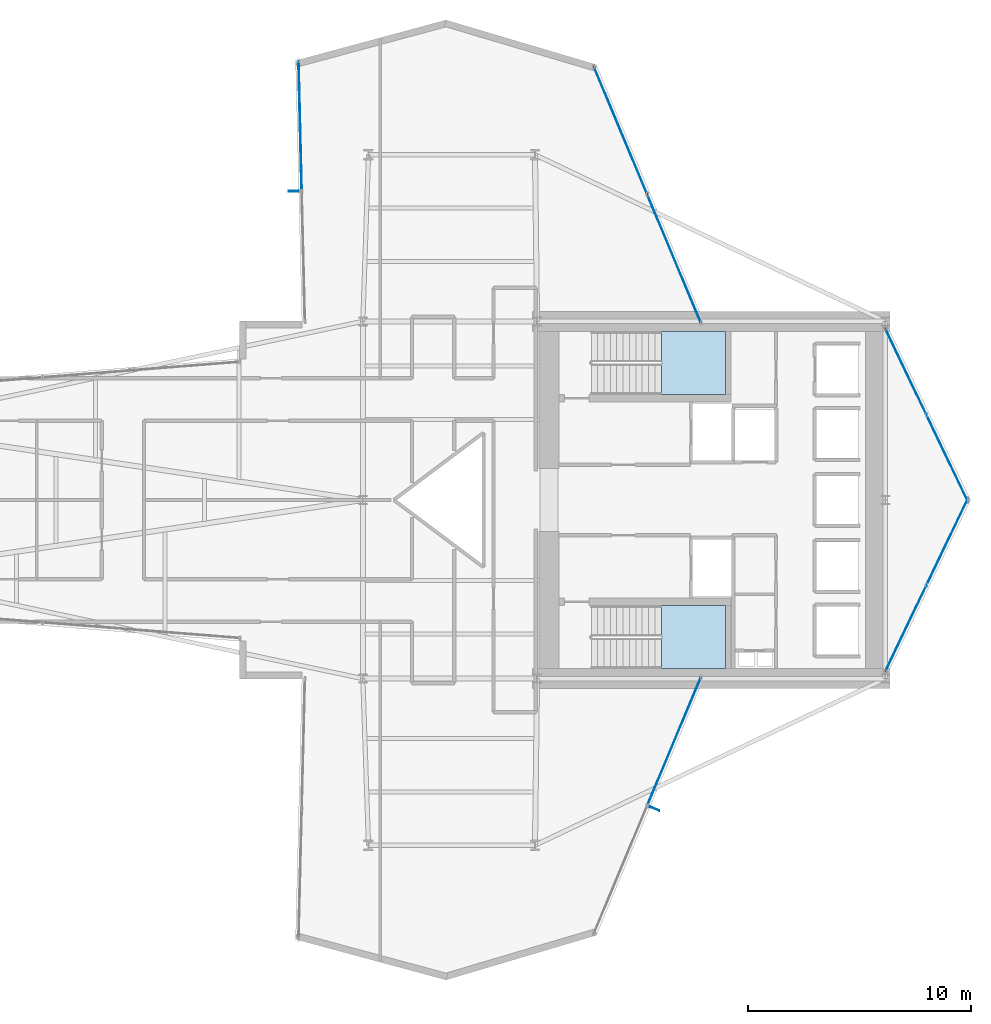
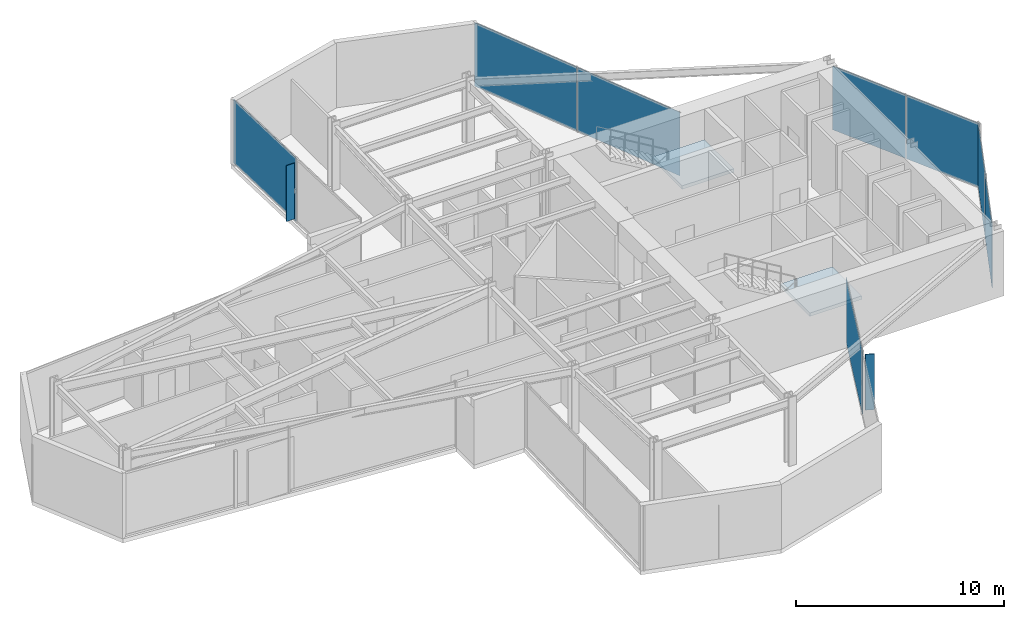
# One storey, part 20 of 24: 10 plates, 2 slabs, 7 elements without a shape of their own.
"""IFC4 building model written with IfcOpenShell, lengths in metres."""

from ifc_helpers import new_model, si_unit, direction, frame, origin, origin_2d, place, context, subcontext, project, spatial, polyline, rectangle, outline, extrude, material, layer, layer_set, type_object, element, aggregate, save


model = new_model("IFC4")

# Units and contexts
model_context = context("Model", 3, precision=1e-05, world=origin(), true_north=direction((0.0, 1.0)))
body_context = subcontext(model_context, "Body", "Model", "MODEL_VIEW")
ifc_project = project(units=[si_unit("LENGTHUNIT", "METRE"), si_unit("AREAUNIT", "SQUARE_METRE"), si_unit("VOLUMEUNIT", "CUBIC_METRE"), si_unit("PLANEANGLEUNIT", "RADIAN"), si_unit("MASSUNIT", "GRAM", prefix="KILO")], contexts=[model_context])

# Site, building, storey
site_placement = place(None, origin())
site = spatial("IfcSite", under=ifc_project, at=site_placement, CompositionType="ELEMENT")
building_placement = place(site_placement, origin())
building = spatial("IfcBuilding", under=site, at=building_placement, Name="Veymaron Broadcast Tower", CompositionType="ELEMENT")
storey_placement = place(building_placement, frame((0.0, 0.0, 78.300048828125)))
storey = spatial("IfcBuildingStorey", under=building, at=storey_placement, Name="L17", CompositionType="ELEMENT", Elevation=78.300048828125)

# Curtain wall, plates
ifc_material_1 = material(Name="Anodised aluminium AA 6063-T6 and laminated low-E dark glass", Category="aluminium")
ifc_layer_1 = layer(ifc_material_1, 0.179931640625)
ifc_layer_set_1 = layer_set([ifc_layer_1], Name="Anodised aluminium AA 6063-T6 and laminated low-E dark glass")
curtain_wall_type = type_object("IfcCurtainWallType", Name="CW-SYS-02", PredefinedType="NOTDEFINED", material=ifc_layer_set_1)
curtain_wall_1_placement = place(storey_placement, origin())
curtain_wall_1 = element("IfcCurtainWall", 1, at=curtain_wall_1_placement, inside=storey, type_object=curtain_wall_type, Name="L17 dark-glass curtain wall CW-L17-E2-1", PredefinedType="NOTDEFINED")
ifc_material_2 = material(Name="Double-silver solar-control dark glass IGU 32 mm", Category="glass")
ifc_layer_2 = layer(ifc_material_2, 0.031982421875)
ifc_layer_set_2 = layer_set([ifc_layer_2], Name="Double-silver solar-control dark glass IGU 32 mm")
plate_type_1 = type_object("IfcPlateType", Name="CW-PNL-02", PredefinedType="CURTAIN_PANEL", material=ifc_layer_set_2)
plate_1_placement = place(storey_placement, frame((55.52099609375, 18.2529296875, 0.0400390625), z_axis=(0.0, 0.0, 1.0), x_axis=(0.431078122851, 0.902314608105, 0.0)))
plate_1 = element("IfcPlate", 2, at=plate_1_placement, type_object=plate_type_1, Name="CW-L17-E2-1 unitised curtain panel 0", PredefinedType="CURTAIN_PANEL", context=body_context, shape_type="SweptSolid", body=[
    extrude(rectangle(XDim=4.23095703125, YDim=0.031982421875, at=origin_2d()), origin(), (0.0, 0.0, 1.0), 3.72998046875),
])
plate_2_placement = place(storey_placement, frame((57.370849609375, 22.12451171875, 0.0400390625), z_axis=(0.0, 0.0, 1.0), x_axis=(0.431078122851, 0.902314608105, 0.0)))
plate_2 = element("IfcPlate", 3, at=plate_2_placement, type_object=plate_type_1, Name="CW-L17-E2-1 unitised curtain panel 1", PredefinedType="CURTAIN_PANEL", context=body_context, shape_type="SweptSolid", body=[
    extrude(rectangle(XDim=4.23095703125, YDim=0.031982421875, at=origin_2d()), origin(), (0.0, 0.0, 1.0), 3.72998046875),
])
aggregate(curtain_wall_1, [plate_1, plate_2])

curtain_wall_2_placement = place(storey_placement, origin())
curtain_wall_2 = element("IfcCurtainWall", 4, at=curtain_wall_2_placement, inside=storey, type_object=curtain_wall_type, Name="L17 dark-glass curtain wall CW-L17-E3-1", PredefinedType="NOTDEFINED")
plate_3_placement = place(storey_placement, frame((57.370849609375, 25.87548828125, 0.0400390625), z_axis=(0.0, 0.0, 1.0), x_axis=(-0.431078122851, 0.902314608105, 0.0)))
plate_3 = element("IfcPlate", 5, at=plate_3_placement, type_object=plate_type_1, Name="CW-L17-E3-1 unitised curtain panel 0", PredefinedType="CURTAIN_PANEL", context=body_context, shape_type="SweptSolid", body=[
    extrude(rectangle(XDim=4.23095703125, YDim=0.031982421875, at=origin_2d()), origin(), (0.0, 0.0, 1.0), 3.72998046875),
])
plate_4_placement = place(storey_placement, frame((55.52099609375, 29.7470703125, 0.0400390625), z_axis=(0.0, 0.0, 1.0), x_axis=(-0.431078122851, 0.902314608105, 0.0)))
plate_4 = element("IfcPlate", 6, at=plate_4_placement, type_object=plate_type_1, Name="CW-L17-E3-1 unitised curtain panel 1", PredefinedType="CURTAIN_PANEL", context=body_context, shape_type="SweptSolid", body=[
    extrude(rectangle(XDim=4.23095703125, YDim=0.031982421875, at=origin_2d()), origin(), (0.0, 0.0, 1.0), 3.72998046875),
])
aggregate(curtain_wall_2, [plate_3, plate_4])

curtain_wall_3_placement = place(storey_placement, origin())
curtain_wall_3 = element("IfcCurtainWall", 7, at=curtain_wall_3_placement, inside=storey, type_object=curtain_wall_type, Name="L17 dark-glass curtain wall CW-L17-E5-1", PredefinedType="NOTDEFINED")
plate_5_placement = place(storey_placement, frame((45.13720703125, 34.81689453125, 0.0400390625), z_axis=(0.0, 0.0, 1.0), x_axis=(-0.3854873681, 0.922713113072, 0.0)))
plate_5 = element("IfcPlate", 8, at=plate_5_placement, type_object=plate_type_1, Name="CW-L17-E5-1 unitised curtain panel 0", PredefinedType="CURTAIN_PANEL", context=body_context, shape_type="SweptSolid", body=[
    extrude(rectangle(XDim=6.1630859375, YDim=0.031982421875, at=origin_2d()), origin(), (0.0, 0.0, 1.0), 3.72998046875),
])
plate_6_placement = place(storey_placement, frame((42.73828125, 40.55908203125, 0.0400390625), z_axis=(0.0, 0.0, 1.0), x_axis=(-0.3854873681, 0.922713113072, 0.0)))
plate_6 = element("IfcPlate", 9, at=plate_6_placement, type_object=plate_type_1, Name="CW-L17-E5-1 unitised curtain panel 1", PredefinedType="CURTAIN_PANEL", context=body_context, shape_type="SweptSolid", body=[
    extrude(rectangle(XDim=6.1630859375, YDim=0.031982421875, at=origin_2d()), origin(), (0.0, 0.0, 1.0), 3.72998046875),
])
aggregate(curtain_wall_3, [plate_5, plate_6])

# Curtain wall, plate
curtain_wall_4_placement = place(storey_placement, origin())
curtain_wall_4 = element("IfcCurtainWall", 10, at=curtain_wall_4_placement, inside=storey, type_object=curtain_wall_type, Name="L17 dark-glass curtain wall CW-L17-E8-1", PredefinedType="NOTDEFINED")
plate_7_placement = place(storey_placement, frame((28.39501953125, 40.7529296875, 0.0400390625), z_axis=(0.0, 0.0, 1.0), x_axis=(0.024379833872, -0.999702767677, 0.0)))
plate_7 = element("IfcPlate", 11, at=plate_7_placement, type_object=plate_type_1, Name="CW-L17-E8-1 unitised curtain panel 0", PredefinedType="CURTAIN_PANEL", context=body_context, shape_type="SweptSolid", body=[
    extrude(rectangle(XDim=5.774658203125, YDim=0.031982421875, at=origin_2d()), origin(), (0.0, 0.0, 1.0), 3.72998046875),
])
aggregate(curtain_wall_4, [plate_7])

curtain_wall_5_placement = place(storey_placement, origin())
curtain_wall_5 = element("IfcCurtainWall", 12, at=curtain_wall_5_placement, inside=storey, type_object=curtain_wall_type, Name="L17 dark-glass curtain wall CW-L17-E20-1", PredefinedType="NOTDEFINED")
plate_8_placement = place(storey_placement, frame((45.13720703125, 13.18310546875, 0.0400390625), z_axis=(0.0, 0.0, 1.0), x_axis=(0.3854873681, 0.922713113072, 0.0)))
plate_8 = element("IfcPlate", 13, at=plate_8_placement, type_object=plate_type_1, Name="CW-L17-E20-1 unitised curtain panel 1", PredefinedType="CURTAIN_PANEL", context=body_context, shape_type="SweptSolid", body=[
    extrude(rectangle(XDim=6.1630859375, YDim=0.031982421875, at=origin_2d()), origin(), (0.0, 0.0, 1.0), 3.72998046875),
])
aggregate(curtain_wall_5, [plate_8])

# Plates
ifc_material_3 = material(Name="Dark-anodised aluminium AA 6061-T6", Category="aluminium")
ifc_layer_3 = layer(ifc_material_3, 0.034912109375)
ifc_layer_set_3 = layer_set([ifc_layer_3], Name="Dark-anodised aluminium AA 6061-T6")
plate_type_2 = type_object("IfcPlateType", Name="FIN-CHEV-01", PredefinedType="USERDEFINED", material=ifc_layer_set_3)
for number, where, z_axis, x_axis, name in (
    (14, (28.111328125, 37.82763671875, 0.2666015625), (0.0, 0.0, 1.0), (-0.999702767677, -0.024379833872, 0.0), "CW-L17-E8-1 chevron fin 1"),
    (15, (44.265380859375, 10.17529296875, 0.2666015625), (0.0, 0.0, 1.0), (0.922713113072, -0.3854873681, 0.0), "CW-L17-E20-1 chevron fin 1"),
):
    element("IfcPlate", number, at=place(storey_placement, frame(where, z_axis=z_axis, x_axis=x_axis)), inside=storey, type_object=plate_type_2, Name=name, ObjectType="FIN", PredefinedType="USERDEFINED", context=body_context, shape_type="SweptSolid", body=[
        extrude(rectangle(XDim=0.449951171875, YDim=0.034912109375, at=origin_2d()), origin(), (0.0, 0.0, 1.0), 3.276611328125),
    ])

# Stair, slab
ifc_material_4 = material(Name="Concrete C50/60", Category="concrete")
stair_type_1 = type_object("IfcStairType", Name="STAIR-CORE-1", PredefinedType="HALF_TURN_STAIR", material=ifc_material_4)
stair_1_placement = place(storey_placement, origin())
stair_1 = element("IfcStair", 16, at=stair_1_placement, inside=storey, type_object=stair_type_1, Name="L17 North protected dog-leg exit stair ST1", PredefinedType="HALF_TURN_STAIR")
ifc_layer_4 = layer(ifc_material_4, 0.199951171875)
ifc_layer_set_4 = layer_set([ifc_layer_4], Name="Concrete C50/60")
slab_type = type_object("IfcSlabType", Name="SLAB-STAIR-LDG", PredefinedType="LANDING", material=ifc_layer_set_4)
slab_1_placement = place(storey_placement, frame((0.0, 0.0, 1.824951171875)))
slab_1 = element("IfcSlab", 17, at=slab_1_placement, type_object=slab_type, Name="ST1 landing 1", PredefinedType="LANDING", context=body_context, shape_type="SweptSolid", body=[
    extrude(outline(polyline([(44.56494140625, 28.72998046875), (47.43994140625, 28.72998046875), (47.43994140625, 31.550048828125), (44.56494140625, 31.550048828125), (44.56494140625, 28.72998046875)])), origin(), (0.0, 0.0, 1.0), 0.199951171875),
])
aggregate(stair_1, [slab_1])

stair_type_2 = type_object("IfcStairType", Name="STAIR-CORE-2", PredefinedType="HALF_TURN_STAIR", material=ifc_material_4)
stair_2_placement = place(storey_placement, origin())
stair_2 = element("IfcStair", 18, at=stair_2_placement, inside=storey, type_object=stair_type_2, Name="L17 South protected dog-leg exit stair ST2", PredefinedType="HALF_TURN_STAIR")
slab_2_placement = place(storey_placement, frame((0.0, 0.0, 1.824951171875)))
slab_2 = element("IfcSlab", 19, at=slab_2_placement, type_object=slab_type, Name="ST2 landing 1", PredefinedType="LANDING", context=body_context, shape_type="SweptSolid", body=[
    extrude(outline(polyline([(44.56494140625, 16.449951171875), (47.43994140625, 16.449951171875), (47.43994140625, 19.27001953125), (44.56494140625, 19.27001953125), (44.56494140625, 16.449951171875)])), origin(), (0.0, 0.0, 1.0), 0.199951171875),
])
aggregate(stair_2, [slab_2])

save(model, "model.ifc")
